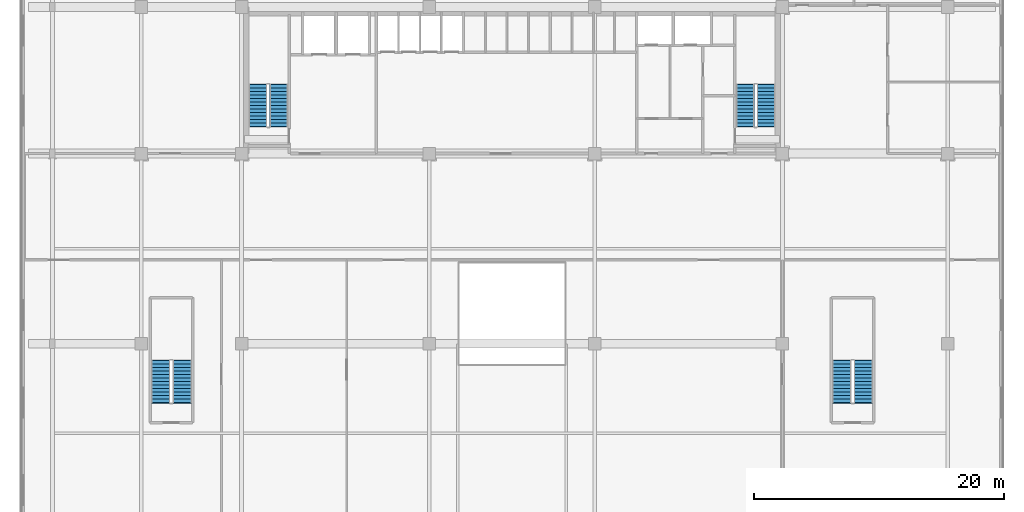
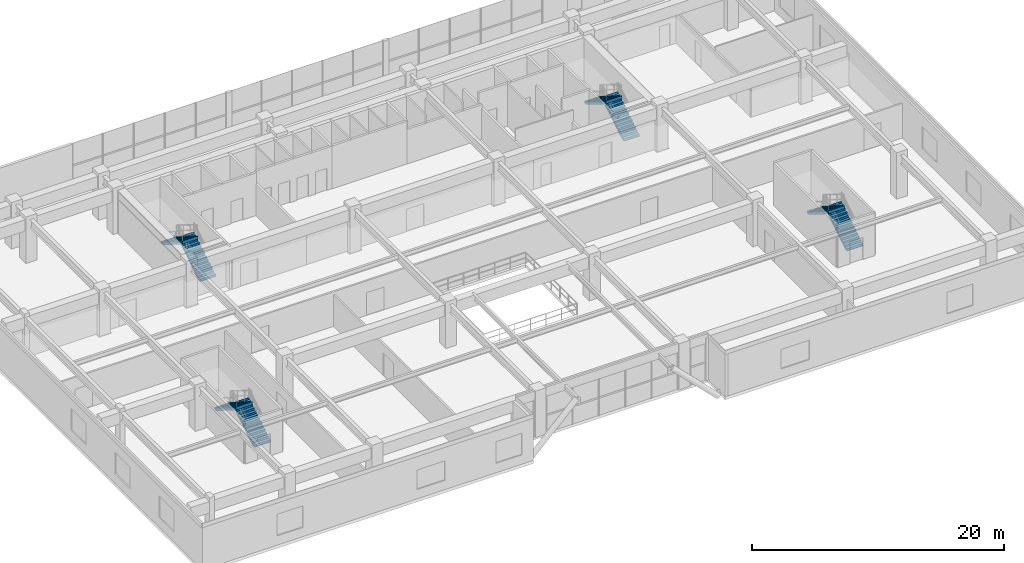
# One storey, part 16 of 21: 8 stair flights, 4 elements without a shape of their own.
"""IFC4 building model written with IfcOpenShell, lengths in metres."""

from ifc_helpers import new_model, si_unit, direction, frame, origin, place, context, subcontext, project, spatial, polyline, outline, extrude, source, transform, mapped, material, type_object, element, aggregate, save


model = new_model("IFC4")

# Units and contexts
model_context = context("Model", 3, precision=1e-05, world=origin(), true_north=direction((0.0, 1.0)))
body_context = subcontext(model_context, "Body", "Model", "MODEL_VIEW")
ifc_project = project(units=[si_unit("LENGTHUNIT", "METRE"), si_unit("AREAUNIT", "SQUARE_METRE"), si_unit("VOLUMEUNIT", "CUBIC_METRE"), si_unit("PLANEANGLEUNIT", "RADIAN"), si_unit("MASSUNIT", "GRAM", prefix="KILO")], contexts=[model_context])

# Site, building, storey
site_placement = place(None, origin())
site = spatial("IfcSite", under=ifc_project, at=site_placement, CompositionType="ELEMENT")
building_placement = place(site_placement, origin())
building = spatial("IfcBuilding", under=site, at=building_placement, Name="Trelvane Seafront Commons", CompositionType="ELEMENT")
storey_placement = place(building_placement, frame((0.0, 0.0, 14.199951171875)))
storey = spatial("IfcBuildingStorey", under=building, at=storey_placement, Name="L03", CompositionType="ELEMENT", Elevation=14.199951171875)

# Stair, stair flights
ifc_material = material(Name="Concrete C40/50", Category="concrete")
stair_type_1 = type_object("IfcStairType", Name="ARCH-STR-ST-1-R26-173", PredefinedType="HALF_TURN_STAIR", material=ifc_material)
stair_1_placement = place(storey_placement, origin())
stair_1 = element("IfcStair", 1, at=stair_1_placement, inside=storey, type_object=stair_type_1, Name="L03 West Protected Firefighting Exit Stair ST-1", PredefinedType="HALF_TURN_STAIR")
stair_flight_type_1 = type_object("IfcStairFlightType", Name="ARCH-FLG-ST-1-R26-173", PredefinedType="STRAIGHT", material=ifc_material)
shared_shape_1 = source(origin(), body_context, "Body", "SweptSolid", [
    extrude(outline(polyline([(-0.050048828125, -0.02001953125), (-0.050048828125, 0.0), (0.0, 0.0), (0.0, 0.173095703125), (0.280029296875, 0.173095703125), (0.280029296875, 0.34619140625), (0.56005859375, 0.34619140625), (0.56005859375, 0.519287109375), (0.840087890625, 0.519287109375), (0.840087890625, 0.6923828125), (1.1201171875, 0.6923828125), (1.1201171875, 0.865478515625), (1.39990234375, 0.865478515625), (1.39990234375, 1.03857421875), (1.679931640625, 1.03857421875), (1.679931640625, 1.21142578125), (1.9599609375, 1.21142578125), (1.9599609375, 1.384521484375), (2.239990234375, 1.384521484375), (2.239990234375, 1.5576171875), (2.52001953125, 1.5576171875), (2.52001953125, 1.730712890625), (2.800048828125, 1.730712890625), (2.800048828125, 1.90380859375), (3.080078125, 1.90380859375), (3.080078125, 2.076904296875), (3.360107421875, 2.076904296875), (3.360107421875, 2.25), (3.409912109375, 2.25), (3.409912109375, 2.10009765625), (3.360107421875, 1.900634765625), (0.28515625, -0.02001953125), (-0.050048828125, -0.02001953125)])), frame((0.0, 0.72509765625, 0.0), z_axis=(0.0, -1.0, 0.0), x_axis=(1.0, 0.0, 0.0)), (0.0, 0.0, 1.0), 1.449951171875),
])
stair_flight_1_placement = place(storey_placement, frame((18.574951171875, 35.550048828125, 0.0), z_axis=(0.0, 0.0, 1.0), x_axis=(0.0, 1.0, 0.0)))
stair_flight_1 = element("IfcStairFlight", 2, at=stair_flight_1_placement, type_object=stair_flight_type_1, Name="ST-1 flight 1", NumberOfRisers=13, NumberOfTreads=12, PredefinedType="STRAIGHT", RiserHeight=0.173076923, TreadLength=0.28, context=body_context, shape_type="MappedRepresentation", body=[
    mapped(shared_shape_1, transform((0.0, 0.0, 0.0), x_axis=(1.0, 0.0, 0.0), y_axis=(0.0, 1.0, 0.0), z_axis=(0.0, 0.0, 1.0), scale=1.0)),
])
stair_flight_2_placement = place(storey_placement, frame((16.925048828125, 38.909912109375, 2.25), z_axis=(0.0, 0.0, 1.0), x_axis=(0.0, -1.0, 0.0)))
stair_flight_2 = element("IfcStairFlight", 3, at=stair_flight_2_placement, type_object=stair_flight_type_1, Name="ST-1 flight 2", NumberOfRisers=13, NumberOfTreads=12, PredefinedType="STRAIGHT", RiserHeight=0.173076923, TreadLength=0.28, context=body_context, shape_type="MappedRepresentation", body=[
    mapped(shared_shape_1, transform((0.0, 0.0, 0.0), x_axis=(1.0, 0.0, 0.0), y_axis=(0.0, 1.0, 0.0), z_axis=(0.0, 0.0, 1.0), scale=1.0)),
])
aggregate(stair_1, [stair_flight_1, stair_flight_2])

stair_type_2 = type_object("IfcStairType", Name="ARCH-STR-ST-2-R26-173", PredefinedType="HALF_TURN_STAIR", material=ifc_material)
stair_2_placement = place(storey_placement, origin())
stair_2 = element("IfcStair", 4, at=stair_2_placement, inside=storey, type_object=stair_type_2, Name="L03 East Protected Firefighting Exit Stair ST-2", PredefinedType="HALF_TURN_STAIR")
stair_flight_type_2 = type_object("IfcStairFlightType", Name="ARCH-FLG-ST-2-R26-173", PredefinedType="STRAIGHT", material=ifc_material)
stair_flight_3_placement = place(storey_placement, frame((57.47509765625, 35.550048828125, 0.0), z_axis=(0.0, 0.0, 1.0), x_axis=(0.0, 1.0, 0.0)))
stair_flight_3 = element("IfcStairFlight", 5, at=stair_flight_3_placement, type_object=stair_flight_type_2, Name="ST-2 flight 1", NumberOfRisers=13, NumberOfTreads=12, PredefinedType="STRAIGHT", RiserHeight=0.173076923, TreadLength=0.28, context=body_context, shape_type="MappedRepresentation", body=[
    mapped(shared_shape_1, transform((0.0, 0.0, 0.0), x_axis=(1.0, 0.0, 0.0), y_axis=(0.0, 1.0, 0.0), z_axis=(0.0, 0.0, 1.0), scale=1.0)),
])
stair_flight_4_placement = place(storey_placement, frame((55.824951171875, 38.909912109375, 2.25), z_axis=(0.0, 0.0, 1.0), x_axis=(0.0, -1.0, 0.0)))
stair_flight_4 = element("IfcStairFlight", 6, at=stair_flight_4_placement, type_object=stair_flight_type_2, Name="ST-2 flight 2", NumberOfRisers=13, NumberOfTreads=12, PredefinedType="STRAIGHT", RiserHeight=0.173076923, TreadLength=0.28, context=body_context, shape_type="MappedRepresentation", body=[
    mapped(shared_shape_1, transform((0.0, 0.0, 0.0), x_axis=(1.0, 0.0, 0.0), y_axis=(0.0, 1.0, 0.0), z_axis=(0.0, 0.0, 1.0), scale=1.0)),
])
aggregate(stair_2, [stair_flight_3, stair_flight_4])

stair_type_3 = type_object("IfcStairType", Name="ARCH-STR-ST-3-R26-173", PredefinedType="HALF_TURN_STAIR", material=ifc_material)
stair_3_placement = place(storey_placement, origin())
stair_3 = element("IfcStair", 7, at=stair_3_placement, inside=storey, type_object=stair_type_3, Name="L03 Podium Commons West Promenade Stair ST-3", PredefinedType="HALF_TURN_STAIR")
stair_flight_type_3 = type_object("IfcStairFlightType", Name="ARCH-FLG-ST-3-R26-173", PredefinedType="STRAIGHT", material=ifc_material)
shared_shape_2 = source(origin(), body_context, "Body", "SweptSolid", [
    extrude(outline(polyline([(-0.050048828125, -0.02001953125), (-0.050048828125, 0.0), (0.0, 0.0), (0.0, 0.173095703125), (0.280029296875, 0.173095703125), (0.280029296875, 0.34619140625), (0.56005859375, 0.34619140625), (0.56005859375, 0.519287109375), (0.840087890625, 0.519287109375), (0.840087890625, 0.6923828125), (1.1201171875, 0.6923828125), (1.1201171875, 0.865478515625), (1.39990234375, 0.865478515625), (1.39990234375, 1.03857421875), (1.679931640625, 1.03857421875), (1.679931640625, 1.21142578125), (1.9599609375, 1.21142578125), (1.9599609375, 1.384521484375), (2.239990234375, 1.384521484375), (2.239990234375, 1.5576171875), (2.52001953125, 1.5576171875), (2.52001953125, 1.730712890625), (2.800048828125, 1.730712890625), (2.800048828125, 1.90380859375), (3.080078125, 1.90380859375), (3.080078125, 2.076904296875), (3.360107421875, 2.076904296875), (3.360107421875, 2.25), (3.409912109375, 2.25), (3.409912109375, 2.10009765625), (3.360107421875, 1.900634765625), (0.28515625, -0.02001953125), (-0.050048828125, -0.02001953125)])), frame((0.0, 0.75, 0.0), z_axis=(0.0, -1.0, 0.0), x_axis=(1.0, 0.0, 0.0)), (0.0, 0.0, 1.0), 1.5),
])
stair_flight_5_placement = place(storey_placement, frame((10.85009765625, 13.5, 0.0), z_axis=(0.0, 0.0, 1.0), x_axis=(0.0, 1.0, 0.0)))
stair_flight_5 = element("IfcStairFlight", 8, at=stair_flight_5_placement, type_object=stair_flight_type_3, Name="ST-3 flight 1", NumberOfRisers=13, NumberOfTreads=12, PredefinedType="STRAIGHT", RiserHeight=0.173076923, TreadLength=0.28, context=body_context, shape_type="MappedRepresentation", body=[
    mapped(shared_shape_2, transform((0.0, 0.0, 0.0), x_axis=(1.0, 0.0, 0.0), y_axis=(0.0, 1.0, 0.0), z_axis=(0.0, 0.0, 1.0), scale=1.0)),
])
stair_flight_6_placement = place(storey_placement, frame((9.14990234375, 16.860107421875, 2.25), z_axis=(0.0, 0.0, 1.0), x_axis=(0.0, -1.0, 0.0)))
stair_flight_6 = element("IfcStairFlight", 9, at=stair_flight_6_placement, type_object=stair_flight_type_3, Name="ST-3 flight 2", NumberOfRisers=13, NumberOfTreads=12, PredefinedType="STRAIGHT", RiserHeight=0.173076923, TreadLength=0.28, context=body_context, shape_type="MappedRepresentation", body=[
    mapped(shared_shape_2, transform((0.0, 0.0, 0.0), x_axis=(1.0, 0.0, 0.0), y_axis=(0.0, 1.0, 0.0), z_axis=(0.0, 0.0, 1.0), scale=1.0)),
])
aggregate(stair_3, [stair_flight_5, stair_flight_6])

stair_type_4 = type_object("IfcStairType", Name="ARCH-STR-ST-4-R26-173", PredefinedType="HALF_TURN_STAIR", material=ifc_material)
stair_4_placement = place(storey_placement, origin())
stair_4 = element("IfcStair", 10, at=stair_4_placement, inside=storey, type_object=stair_type_4, Name="L03 Podium Commons East Promenade Stair ST-4", PredefinedType="HALF_TURN_STAIR")
stair_flight_type_4 = type_object("IfcStairFlightType", Name="ARCH-FLG-ST-4-R26-173", PredefinedType="STRAIGHT", material=ifc_material)
stair_flight_7_placement = place(storey_placement, frame((65.25, 13.5, 0.0), z_axis=(0.0, 0.0, 1.0), x_axis=(0.0, 1.0, 0.0)))
stair_flight_7 = element("IfcStairFlight", 11, at=stair_flight_7_placement, type_object=stair_flight_type_4, Name="ST-4 flight 1", NumberOfRisers=13, NumberOfTreads=12, PredefinedType="STRAIGHT", RiserHeight=0.173076923, TreadLength=0.28, context=body_context, shape_type="MappedRepresentation", body=[
    mapped(shared_shape_2, transform((0.0, 0.0, 0.0), x_axis=(1.0, 0.0, 0.0), y_axis=(0.0, 1.0, 0.0), z_axis=(0.0, 0.0, 1.0), scale=1.0)),
])
stair_flight_8_placement = place(storey_placement, frame((63.550048828125, 16.860107421875, 2.25), z_axis=(0.0, 0.0, 1.0), x_axis=(0.0, -1.0, 0.0)))
stair_flight_8 = element("IfcStairFlight", 12, at=stair_flight_8_placement, type_object=stair_flight_type_4, Name="ST-4 flight 2", NumberOfRisers=13, NumberOfTreads=12, PredefinedType="STRAIGHT", RiserHeight=0.173076923, TreadLength=0.28, context=body_context, shape_type="MappedRepresentation", body=[
    mapped(shared_shape_2, transform((0.0, 0.0, 0.0), x_axis=(1.0, 0.0, 0.0), y_axis=(0.0, 1.0, 0.0), z_axis=(0.0, 0.0, 1.0), scale=1.0)),
])
aggregate(stair_4, [stair_flight_7, stair_flight_8])

save(model, "model.ifc")
